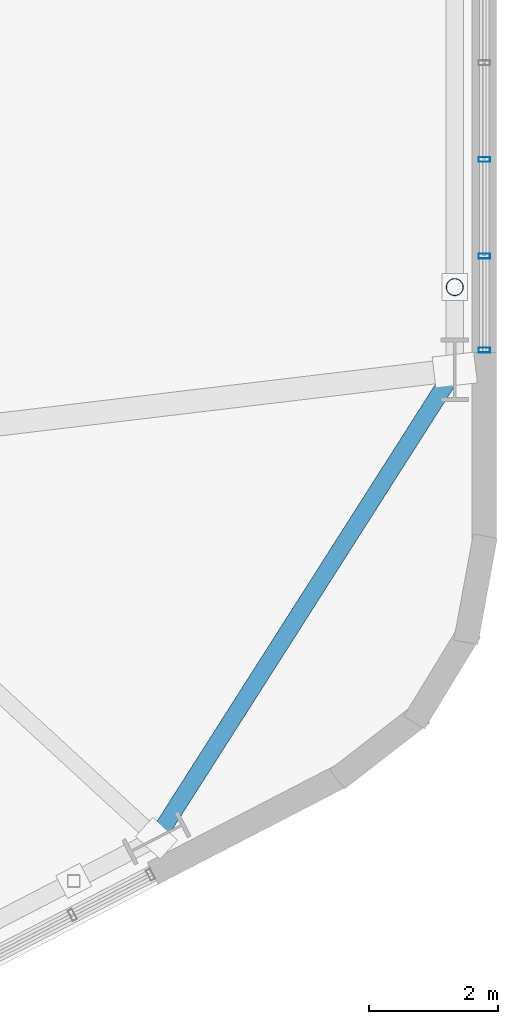
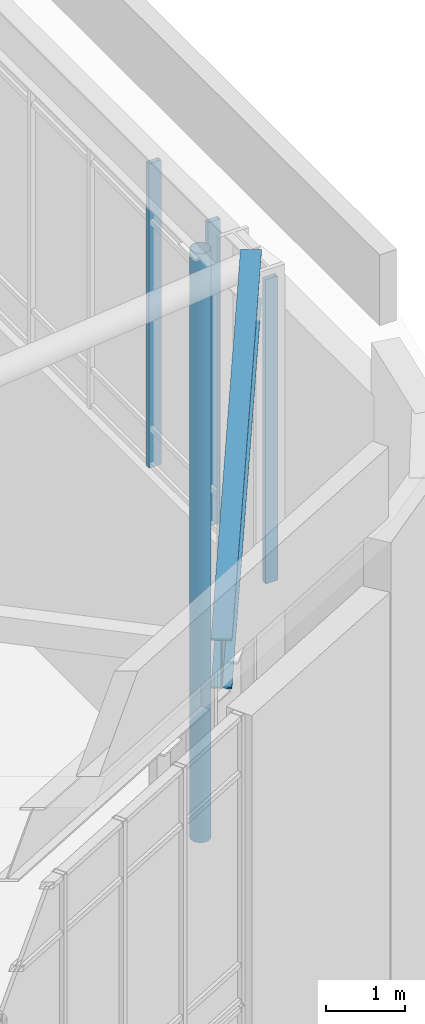
# One storey, part 15 of 23: 4 members, 1 beam, 1 element without a shape of its own.
"""IFC4 building model written with IfcOpenShell, lengths in metres."""

import ifcopenshell
import ifcopenshell.guid

model = None  # the IFC model being written
_history = None  # IfcOwnerHistory: only IFC2X3 demands one
_inside = {}  # id of a spatial element -> (the spatial element, [elements in it])
_under = {}  # id of a project, library or spatial element -> (it, [spatial elements below it])
_declared = {}  # id of a project -> (the project, [libraries it declares])
_typed = {}  # id of a type object -> (the type object, [elements of that type])
_made_of = {}  # id of a material, layer set ... -> (it, [elements and type objects made of it])


def new_model(schema):
    """Start an empty IFC model of exactly this schema.

    Asked for "IFC4X3", IfcOpenShell would pick the latest addendum, in which some entities
    have other attributes; the version numbers below select the first issue.
    IFC2X3 requires an IfcOwnerHistory on every rooted entity: one is made here for all.
    """
    global model, _history
    if schema == "IFC4X3":
        model = ifcopenshell.file(schema_version=(4, 3, 0, 0))
    else:
        model = ifcopenshell.file(schema=schema)
    _inside.clear()
    _under.clear()
    _declared.clear()
    _typed.clear()
    _made_of.clear()
    _history = None
    if model.schema == "IFC2X3":
        org = make("IfcOrganization", Name="unknown")
        user = make(
            "IfcPersonAndOrganization",
            ThePerson=make("IfcPerson", FamilyName="unknown"),
            TheOrganization=org,
        )
        app = make(
            "IfcApplication",
            ApplicationDeveloper=org,
            Version="unknown",
            ApplicationFullName="unknown",
            ApplicationIdentifier="unknown",
        )
        _history = make(
            "IfcOwnerHistory",
            OwningUser=user,
            OwningApplication=app,
            ChangeAction="ADDED",
            CreationDate=0,
        )
    return model


def make(cls, **values):
    """One entity of the class cls with the attributes given. An attribute that is None is left unset."""
    return model.create_entity(
        cls, **{name: value for name, value in values.items() if value is not None}
    )


def rooted(cls, **values):
    """An entity with a GlobalId (a new one), such as an element, a storey or a relation."""
    return make(cls, GlobalId=ifcopenshell.guid.new(), OwnerHistory=_history, **values)


def si_unit(unit_type, name, prefix=None):
    """IfcSIUnit, for example si_unit("LENGTHUNIT", "METRE", prefix="MILLI")."""
    return make("IfcSIUnit", UnitType=unit_type, Prefix=prefix, Name=name)


def assignment(units):
    """IfcUnitAssignment: the units of a project."""
    return None if units is None else make("IfcUnitAssignment", Units=units)


def point(xyz):
    """IfcCartesianPoint."""
    return None if xyz is None else make("IfcCartesianPoint", Coordinates=xyz)


def direction(xyz):
    """IfcDirection."""
    return None if xyz is None else make("IfcDirection", DirectionRatios=xyz)


def frame(location, z_axis=None, x_axis=None):
    """IfcAxis2Placement3D, a coordinate frame: its origin and axes. An axis left out is left unset."""
    return make(
        "IfcAxis2Placement3D",
        Location=point(location),
        Axis=direction(z_axis),
        RefDirection=direction(x_axis),
    )


def frame_2d(location, x_axis=None):
    """IfcAxis2Placement2D, a coordinate frame in the plane: its origin and x axis."""
    return make(
        "IfcAxis2Placement2D", Location=point(location), RefDirection=direction(x_axis)
    )


def origin():
    """The frame at (0, 0, 0) with its axes left unset."""
    return frame((0.0, 0.0, 0.0))


def origin_2d():
    """The frame at (0, 0) in the plane with its x axis left unset."""
    return frame_2d((0.0, 0.0))


def place(relative_to, where):
    """IfcLocalPlacement: puts the frame where relative to a parent placement (None: the world)."""
    return make(
        "IfcLocalPlacement", PlacementRelTo=relative_to, RelativePlacement=where
    )


def context(
    kind, dimensions, precision=None, world=None, true_north=None, identifier=None
):
    """IfcGeometricRepresentationContext, for example the 3D "Model" context."""
    return make(
        "IfcGeometricRepresentationContext",
        ContextIdentifier=identifier,
        ContextType=kind,
        CoordinateSpaceDimension=dimensions,
        Precision=precision,
        WorldCoordinateSystem=world,
        TrueNorth=true_north,
    )


def subcontext(parent, identifier, kind, view, scale=None):
    """IfcGeometricRepresentationSubContext, for example "Body" below "Model"."""
    return make(
        "IfcGeometricRepresentationSubContext",
        ContextIdentifier=identifier,
        ContextType=kind,
        ParentContext=parent,
        TargetScale=scale,
        TargetView=view,
    )


def project(units=None, contexts=None):
    """IfcProject with its units and contexts."""
    return rooted(
        "IfcProject",
        Name="project",
        RepresentationContexts=contexts,
        UnitsInContext=assignment(units),
    )


def spatial(cls, under=None, at=None, **own):
    """A site, building, storey or space (cls), placed at a placement, below another one or the project."""
    s = rooted(cls, ObjectPlacement=at, **own)
    if under is not None:
        _under.setdefault(under.id(), (under, []))[1].append(s)
    return s


def profile(cls, at=None, kind="AREA", **sizes):
    """A parametric profile (cls). Its sizes go by their IFC names, for example OverallWidth=200.0."""
    return make(cls, ProfileType=kind, Position=at, **sizes)


def hollow_rectangle(**sizes):
    """IfcRectangleHollowProfileDef."""
    return profile("IfcRectangleHollowProfileDef", **sizes)


def hollow_circle(**sizes):
    """IfcCircleHollowProfileDef."""
    return profile("IfcCircleHollowProfileDef", **sizes)


def i_section(**sizes):
    """IfcIShapeProfileDef."""
    return profile("IfcIShapeProfileDef", **sizes)


def extrude(swept, where, along, depth):
    """IfcExtrudedAreaSolid: the profile swept, set in the frame where, extruded along a direction by depth."""
    return make(
        "IfcExtrudedAreaSolid",
        SweptArea=swept,
        Position=where,
        ExtrudedDirection=direction(along),
        Depth=depth,
    )


def shape(context_of_items, identifier, shape_type, items):
    """IfcShapeRepresentation: the items that make up one representation, for example the "Body"."""
    return make(
        "IfcShapeRepresentation",
        ContextOfItems=context_of_items,
        RepresentationIdentifier=identifier,
        RepresentationType=shape_type,
        Items=items,
    )


def material(Name=None, Category=None):
    """IfcMaterial."""
    return make("IfcMaterial", Name=Name, Category=Category)


def layer(
    of_material, thickness, ventilated=None, Name=None, Category=None, Priority=None
):
    """IfcMaterialLayer: one layer of a wall or slab, of a material (None: an air gap)."""
    return make(
        "IfcMaterialLayer",
        Material=of_material,
        LayerThickness=thickness,
        IsVentilated=ventilated,
        Name=Name,
        Category=Category,
        Priority=Priority,
    )


def layer_set(layers, Name=None):
    """IfcMaterialLayerSet."""
    return make("IfcMaterialLayerSet", MaterialLayers=layers, LayerSetName=Name)


def material_profile(
    of_material, cross_section, Name=None, Category=None, Priority=None
):
    """IfcMaterialProfile: a cross section and its material."""
    return make(
        "IfcMaterialProfile",
        Name=Name,
        Material=of_material,
        Profile=cross_section,
        Priority=Priority,
        Category=Category,
    )


def profile_set(profiles, Name=None, composite=None):
    """IfcMaterialProfileSet."""
    return make(
        "IfcMaterialProfileSet",
        Name=Name,
        MaterialProfiles=profiles,
        CompositeProfile=composite,
    )


def made_of(thing, what):
    """Note that an element or type object is made of a material, layer set ...; save() writes the relation."""
    if what is not None:
        _made_of.setdefault(what.id(), (what, []))[1].append(thing)
    return thing


def type_object(cls, material=None, **own):
    """A type object (cls), such as IfcWallType, which elements share."""
    return made_of(rooted(cls, **own), material)


def element(
    cls,
    number,
    at=None,
    inside=None,
    cuts=None,
    type_object=None,
    material=None,
    context=None,
    identifier="Body",
    shape_type=None,
    held_by="IfcProductDefinitionShape",
    body=None,
    shapes=None,
    **own,
):
    """One element of the class cls, such as IfcWall. Its Tag is "e" and its number.

    at: its placement. inside: the storey or other place that contains it. cuts: it is an
    opening in that element (IfcRelVoidsElement). A single representation is given by context,
    identifier, shape_type and body (its items); several are given by shapes. held_by: the class
    of the entity that holds the representations. save() writes the other relations.
    """
    e = rooted(cls, Tag="e%d" % number, ObjectPlacement=at, **own)
    if body is not None:
        shapes = [shape(context, identifier, shape_type, body)]
    if shapes is not None:
        e.Representation = make(held_by, Representations=shapes)
    if inside is not None:
        _inside.setdefault(inside.id(), (inside, []))[1].append(e)
    if cuts is not None:
        rooted(
            "IfcRelVoidsElement", RelatingBuildingElement=cuts, RelatedOpeningElement=e
        )
    if type_object is not None:
        _typed.setdefault(type_object.id(), (type_object, []))[1].append(e)
    return made_of(e, material)


def aggregate(whole, parts):
    """IfcRelAggregates: a whole, such as a stair, and the parts it consists of."""
    return rooted("IfcRelAggregates", RelatingObject=whole, RelatedObjects=parts)


def save(model, path):
    """Write the relations noted so far, then the file.

    IfcRelAggregates (storeys below a building ...), IfcRelContainedInSpatialStructure (elements
    in a storey), IfcRelDefinesByType, IfcRelAssociatesMaterial and IfcRelDeclares: one each for
    every whole, place, type object, material and project.
    """
    for whole, parts in _under.values():
        aggregate(whole, parts)
    for where, things in _inside.values():
        rooted(
            "IfcRelContainedInSpatialStructure",
            RelatedElements=things,
            RelatingStructure=where,
        )
    for kind, things in _typed.values():
        rooted("IfcRelDefinesByType", RelatedObjects=things, RelatingType=kind)
    for what, things in _made_of.values():
        rooted("IfcRelAssociatesMaterial", RelatedObjects=things, RelatingMaterial=what)
    for by, libraries in _declared.values():
        rooted("IfcRelDeclares", RelatingContext=by, RelatedDefinitions=libraries)
    model.write(path)


model = new_model("IFC4")

# Units and contexts
model_context = context("Model", 3, precision=1e-05, world=origin(), true_north=direction((0.0, 1.0)))
body_context = subcontext(model_context, "Body", "Model", "MODEL_VIEW")
ifc_project = project(units=[si_unit("LENGTHUNIT", "METRE"), si_unit("AREAUNIT", "SQUARE_METRE"), si_unit("VOLUMEUNIT", "CUBIC_METRE"), si_unit("PLANEANGLEUNIT", "RADIAN"), si_unit("MASSUNIT", "GRAM", prefix="KILO"), si_unit("THERMODYNAMICTEMPERATUREUNIT", "KELVIN"), si_unit("POWERUNIT", "WATT")], contexts=[model_context])

# Site, building, storey
site_placement = place(None, origin())
site = spatial("IfcSite", under=ifc_project, at=site_placement, CompositionType="ELEMENT")
building_placement = place(site_placement, origin())
building = spatial("IfcBuilding", under=site, at=building_placement, Name="Skarre Station Tower", CompositionType="ELEMENT")
storey_placement = place(building_placement, frame((0.0, 0.0, 291.300048828125)))
storey = spatial("IfcBuildingStorey", under=building, at=storey_placement, Name="RF", CompositionType="ELEMENT", Elevation=291.300048828125)

# Curtain wall, members
ifc_material_1 = material(Name="Thermally Broken Bronze-Anodized Aluminium & Triple Low-E Glass", Category="aluminium")
ifc_layer = layer(ifc_material_1, 0.179931640625, Name="Thermally Broken Bronze-Anodized Aluminium & Triple Low-E Glass")
ifc_layer_set = layer_set([ifc_layer], Name="Thermally Broken Bronze-Anodized Aluminium & Triple Low-E Glass")
curtain_wall_type = type_object("IfcCurtainWallType", Name="Nordic Bronze Crown Lantern Stick Curtain Wall", PredefinedType="NOTDEFINED", material=ifc_layer_set)
curtain_wall_placement = place(storey_placement, origin())
curtain_wall = element("IfcCurtainWall", 1, at=curtain_wall_placement, inside=storey, type_object=curtain_wall_type, Name="RF Crown Lantern Facet 5 Curtain Wall", PredefinedType="NOTDEFINED")
ifc_material_2 = material(Name="Anodized Aluminium 6063-T6", Category="aluminium")
ifc_material_profile_1 = material_profile(ifc_material_2, hollow_rectangle(XDim=0.074951171875, YDim=0.179931640625, WallThickness=0.00390625, at=origin_2d()), Name="Anodized Aluminium 6063-T6")
ifc_profile_set_1 = profile_set([ifc_material_profile_1], Name="Anodized Aluminium 6063-T6")
member_type_1 = type_object("IfcMemberType", Name="Curtain-Wall Unitised Tower Mullion 180x75", PredefinedType="MULLION", material=ifc_profile_set_1)
member_1_placement = place(storey_placement, frame((51.02294921875, 23.2490234375, 4.39990234375), z_axis=(0.0, 0.0, 1.0), x_axis=(0.0, -1.0, 0.0)))
member_1 = element("IfcMember", 2, at=member_1_placement, type_object=member_type_1, Name="RF Crown Lantern Facet 5 Curtain Wall Mullion 4", PredefinedType="MULLION", context=body_context, shape_type="SweptSolid", body=[
    extrude(hollow_rectangle(XDim=0.074951171875, YDim=0.179931640625, WallThickness=0.00390625, at=origin_2d()), origin(), (0.0, 0.0, 1.0), 4.7099609375),
])
member_2_placement = place(storey_placement, frame((51.02294921875, 21.748046875, 4.39990234375), z_axis=(0.0, 0.0, 1.0), x_axis=(0.0, -1.0, 0.0)))
member_2 = element("IfcMember", 3, at=member_2_placement, type_object=member_type_1, Name="RF Crown Lantern Facet 5 Curtain Wall Mullion 5", PredefinedType="MULLION", context=body_context, shape_type="SweptSolid", body=[
    extrude(hollow_rectangle(XDim=0.074951171875, YDim=0.179931640625, WallThickness=0.00390625, at=origin_2d()), origin(), (0.0, 0.0, 1.0), 4.7099609375),
])
member_3_placement = place(storey_placement, frame((51.02294921875, 20.287109375, 4.39990234375), z_axis=(0.0, 0.0, 1.0), x_axis=(0.0, -1.0, 0.0)))
member_3 = element("IfcMember", 4, at=member_3_placement, type_object=member_type_1, Name="RF Crown Lantern Facet 5 Curtain Wall Mullion 6", PredefinedType="MULLION", context=body_context, shape_type="SweptSolid", body=[
    extrude(hollow_rectangle(XDim=0.074951171875, YDim=0.179931640625, WallThickness=0.00390625, at=origin_2d()), origin(), (0.0, 0.0, 1.0), 4.7099609375),
])
aggregate(curtain_wall, [member_1, member_2, member_3])

# Beam
ifc_material_3 = material(Name="Steel ASTM A992 Grade 50", Category="steel")
ifc_material_profile_2 = material_profile(ifc_material_3, i_section(OverallWidth=0.26806640625, OverallDepth=0.77001953125, WebThickness=0.01611328125, FlangeThickness=0.02490234375, at=origin_2d()), Name="Steel ASTM A992 Grade 50")
ifc_profile_set_2 = profile_set([ifc_material_profile_2], Name="Steel ASTM A992 Grade 50")
beam_type = type_object("IfcBeamType", Name="Steel Beam W30X132", PredefinedType="BEAM", material=ifc_profile_set_2)
beam_placement = place(storey_placement, frame((45.927001953125, 12.701904296875, 9.494873046875), z_axis=(0.537296523663, 0.843393410965, 0.0), x_axis=(-0.843393410965, 0.537296523663, 0.0)))
element("IfcBeam", 5, at=beam_placement, inside=storey, type_object=beam_type, Name="RF Crown Lantern Cap Ring Beam 10", PredefinedType="BEAM", context=body_context, shape_type="SweptSolid", body=[
    extrude(i_section(OverallWidth=0.26806640625, OverallDepth=0.77001953125, WebThickness=0.01611328125, FlangeThickness=0.02490234375, at=origin_2d()), origin(), (0.0, 0.0, 1.0), 8.62841796875),
])

# Member
ifc_material_4 = material(Name="Steel ASTM A500 Grade C", Category="steel")
ifc_material_profile_3 = material_profile(ifc_material_4, hollow_circle(Radius=0.136474609375, WallThickness=0.011962890625, at=origin_2d()), Name="Steel ASTM A500 Grade C")
ifc_profile_set_3 = profile_set([ifc_material_profile_3], Name="Steel ASTM A500 Grade C")
member_type_2 = type_object("IfcMemberType", Name="Steel Truss Strut CHS273X12", PredefinedType="STRUT", material=ifc_profile_set_3)
member_4_placement = place(storey_placement, frame((50.56298828125, 21.26611328125, 0.0), z_axis=(0.0, 0.0, 1.0), x_axis=(1.0, 0.0, 0.0)))
element("IfcMember", 6, at=member_4_placement, inside=storey, type_object=member_type_2, Name="RF Crown Pier Post 11A", PredefinedType="STRUT", context=body_context, shape_type="SweptSolid", body=[
    extrude(hollow_circle(Radius=0.136474609375, WallThickness=0.011962890625, at=origin_2d()), origin(), (0.0, 0.0, 1.0), 9.119873046875),
])

save(model, "model.ifc")
